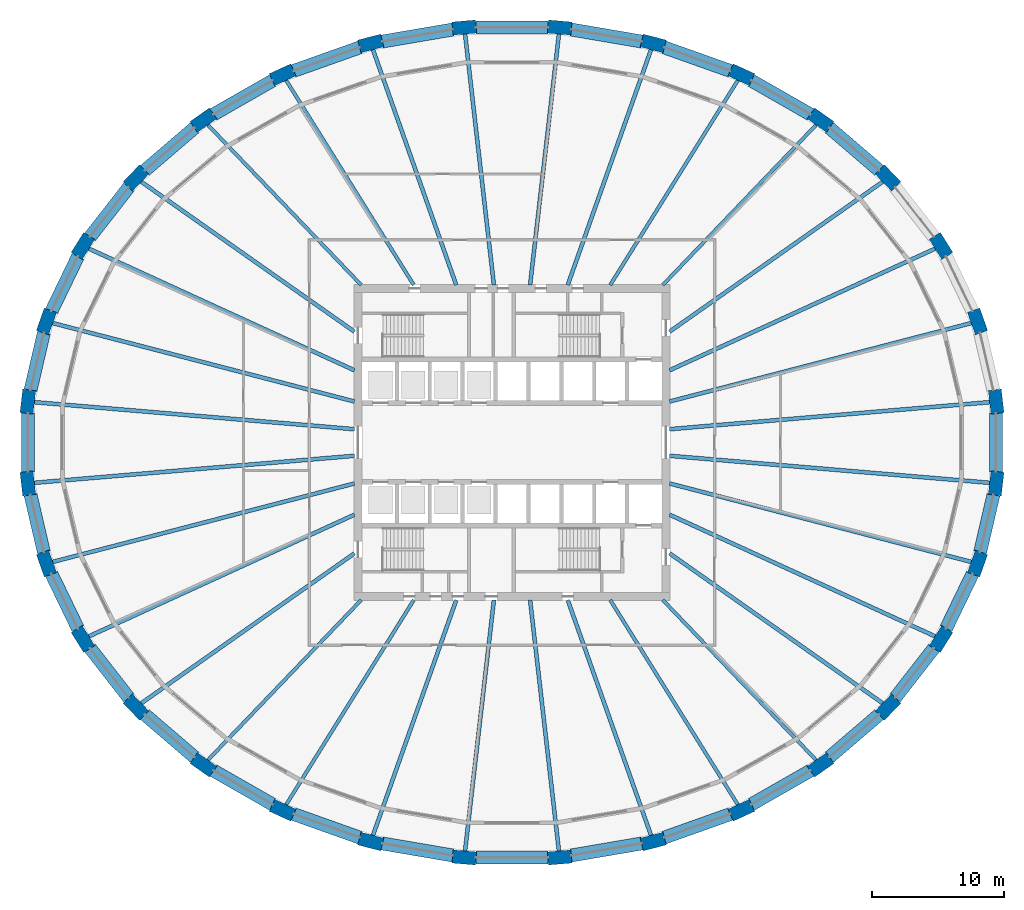
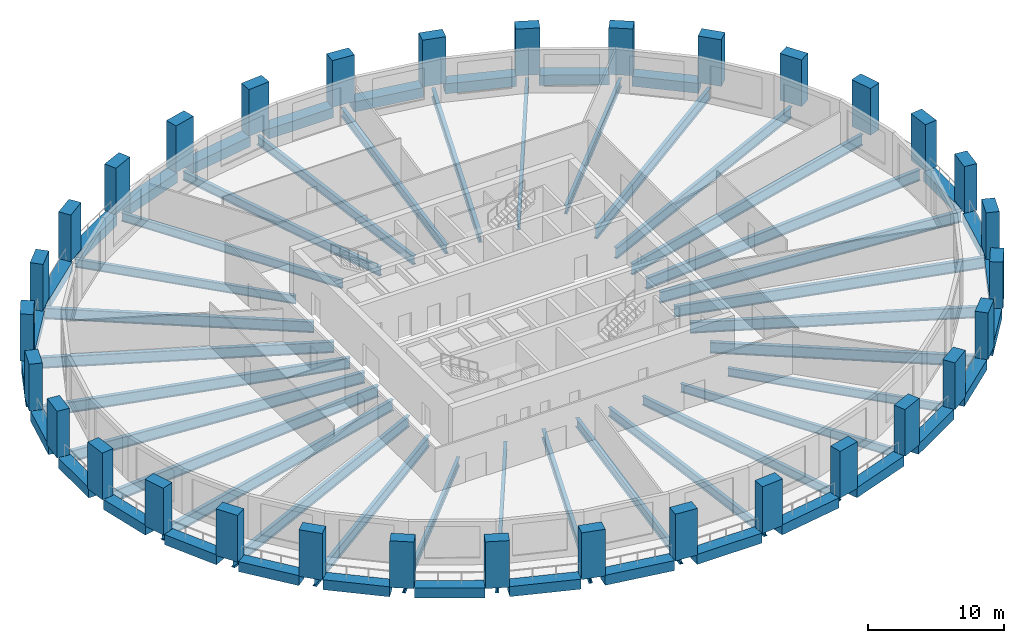
# One storey, part 1 of 10: 61 beams, 32 columns.
"""IFC4 building model written with IfcOpenShell, lengths in metres."""

from ifc_helpers import new_model, si_unit, direction, frame, origin, origin_2d, place, context, subcontext, project, spatial, rectangle, i_section, extrude, material, material_profile, profile_set, type_object, element, save


model = new_model("IFC4")

# Units and contexts
model_context = context("Model", 3, precision=1e-05, world=origin(), true_north=direction((0.0, 1.0)))
body_context = subcontext(model_context, "Body", "Model", "MODEL_VIEW")
ifc_project = project(units=[si_unit("LENGTHUNIT", "METRE"), si_unit("AREAUNIT", "SQUARE_METRE"), si_unit("VOLUMEUNIT", "CUBIC_METRE"), si_unit("PLANEANGLEUNIT", "RADIAN"), si_unit("MASSUNIT", "GRAM", prefix="KILO")], contexts=[model_context])

# Site, building, storey
site_placement = place(None, origin())
site = spatial("IfcSite", under=ifc_project, at=site_placement, CompositionType="ELEMENT")
building_placement = place(site_placement, origin())
building = spatial("IfcBuilding", under=site, at=building_placement, Name="Halqa Exchange Tower", CompositionType="ELEMENT")
storey_placement = place(building_placement, frame((0.0, 0.0, 61.300048828125)))
storey = spatial("IfcBuildingStorey", under=building, at=storey_placement, Name="L13", CompositionType="ELEMENT", Elevation=61.300048828125)

# Columns
ifc_material_1 = material(Name="Concrete C80/95", Category="concrete")
ifc_material_profile_1 = material_profile(ifc_material_1, rectangle(XDim=1.800048828125, YDim=1.0, at=origin_2d()), Name="1800 x 1000")
ifc_profile_set_1 = profile_set([ifc_material_profile_1], Name="Concrete C80/95")
column_type = type_object("IfcColumnType", Name="RC ring column 1800 x 1000 C80/95", PredefinedType="COLUMN", material=ifc_profile_set_1)
for number, where, z_axis, x_axis, name in (
    (1, (36.795654296875, 3.106201171875, 0.0), (0.0, 0.0, 1.0), (-0.114160389816, 0.993462332148, 0.0), "Ring column 1"),
    (2, (35.381591796875, 9.19970703125, 0.0), (0.0, 0.0, 1.0), (-0.33362916957, 0.942704395456, 0.0), "Ring column 2"),
    (3, (32.60791015625, 14.939453125, 0.0), (0.0, 0.0, 1.0), (-0.529139015285, 0.848535151012, 0.0), "Ring column 3"),
    (4, (28.5810546875, 20.10498046875, 0.0), (0.0, 0.0, 1.0), (-0.691577351953, 0.722302406382, 0.0), "Ring column 4"),
    (5, (23.455810546875, 24.498046875, 0.0), (0.0, 0.0, 1.0), (-0.817908788019, 0.57534790734, 0.0), "Ring column 5"),
    (6, (17.42919921875, 27.94970703125, 0.0), (0.0, 0.0, 1.0), (-0.909126368869, 0.416520402174, 0.0), "Ring column 6"),
    (7, (10.73291015625, 30.3271484375, 0.0), (0.0, 0.0, 1.0), (-0.967819942774, 0.251643713153, 0.0), "Ring column 7"),
    (8, (3.6240234375, 31.5390625, 0.0), (0.0, 0.0, 1.0), (-0.996455665803, 0.084119593962, 0.0), "Ring column 8"),
    (9, (-3.6240234375, 31.5390625, 0.0), (0.0, 0.0, 1.0), (-0.996455665803, -0.084119593962, 0.0), "Ring column 9"),
    (10, (-10.73291015625, 30.3271484375, 0.0), (0.0, 0.0, 1.0), (-0.967819942774, -0.251643713153, 0.0), "Ring column 10"),
    (11, (-17.42919921875, 27.94970703125, 0.0), (0.0, 0.0, 1.0), (-0.909126368869, -0.416520402174, 0.0), "Ring column 11"),
    (12, (-23.455810546875, 24.498046875, 0.0), (0.0, 0.0, 1.0), (-0.817908788019, -0.57534790734, 0.0), "Ring column 12"),
    (13, (-28.5810546875, 20.10498046875, 0.0), (0.0, 0.0, 1.0), (-0.691577351953, -0.722302406382, 0.0), "Ring column 13"),
    (14, (-32.60791015625, 14.939453125, 0.0), (0.0, 0.0, 1.0), (-0.529139015285, -0.848535151012, 0.0), "Ring column 14"),
    (15, (-35.381591796875, 9.19970703125, 0.0), (0.0, 0.0, 1.0), (-0.33362916957, -0.942704395456, 0.0), "Ring column 15"),
    (16, (-36.795654296875, 3.106201171875, 0.0), (0.0, 0.0, 1.0), (-0.114160389816, -0.993462332148, 0.0), "Ring column 16"),
    (17, (-36.795654296875, -3.106201171875, 0.0), (0.0, 0.0, 1.0), (0.114160389816, -0.993462332148, 0.0), "Ring column 17"),
    (18, (-35.381591796875, -9.19970703125, 0.0), (0.0, 0.0, 1.0), (0.33362916957, -0.942704395456, 0.0), "Ring column 18"),
    (19, (-32.60791015625, -14.939453125, 0.0), (0.0, 0.0, 1.0), (0.529139015285, -0.848535151012, 0.0), "Ring column 19"),
    (20, (-28.5810546875, -20.10498046875, 0.0), (0.0, 0.0, 1.0), (0.691577351953, -0.722302406382, 0.0), "Ring column 20"),
    (21, (-23.455810546875, -24.498046875, 0.0), (0.0, 0.0, 1.0), (0.817908788019, -0.57534790734, 0.0), "Ring column 21"),
    (22, (-17.42919921875, -27.94970703125, 0.0), (0.0, 0.0, 1.0), (0.909126368869, -0.416520402174, 0.0), "Ring column 22"),
    (23, (-10.73291015625, -30.3271484375, 0.0), (0.0, 0.0, 1.0), (0.967819942774, -0.251643713153, 0.0), "Ring column 23"),
    (24, (-3.6240234375, -31.5390625, 0.0), (0.0, 0.0, 1.0), (0.996455665803, -0.084119593962, 0.0), "Ring column 24"),
    (25, (3.6240234375, -31.5390625, 0.0), (0.0, 0.0, 1.0), (0.996455665803, 0.084119593962, 0.0), "Ring column 25"),
    (26, (10.73291015625, -30.3271484375, 0.0), (0.0, 0.0, 1.0), (0.967819942774, 0.251643713153, 0.0), "Ring column 26"),
    (27, (17.42919921875, -27.94970703125, 0.0), (0.0, 0.0, 1.0), (0.909126368869, 0.416520402174, 0.0), "Ring column 27"),
    (28, (23.455810546875, -24.498046875, 0.0), (0.0, 0.0, 1.0), (0.817908788019, 0.57534790734, 0.0), "Ring column 28"),
    (29, (28.5810546875, -20.10498046875, 0.0), (0.0, 0.0, 1.0), (0.691577351953, 0.722302406382, 0.0), "Ring column 29"),
    (30, (32.60791015625, -14.939453125, 0.0), (0.0, 0.0, 1.0), (0.529139015285, 0.848535151012, 0.0), "Ring column 30"),
    (31, (35.381591796875, -9.19970703125, 0.0), (0.0, 0.0, 1.0), (0.33362916957, 0.942704395456, 0.0), "Ring column 31"),
    (32, (36.795654296875, -3.106201171875, 0.0), (0.0, 0.0, 1.0), (0.114160389816, 0.993462332148, 0.0), "Ring column 32"),
):
    element("IfcColumn", number, at=place(storey_placement, frame(where, z_axis=z_axis, x_axis=x_axis)), inside=storey, type_object=column_type, Name=name, PredefinedType="COLUMN", context=body_context, shape_type="SweptSolid", body=[
        extrude(rectangle(XDim=1.800048828125, YDim=1.0, at=origin_2d()), origin(), (0.0, 0.0, 1.0), 4.199951171875),
    ])

# Beams
ifc_material_2 = material(Name="Steel S355", Category="steel")
ifc_material_profile_2 = material_profile(ifc_material_2, i_section(OverallWidth=0.300048828125, OverallDepth=0.989990234375, WebThickness=0.0166015625, FlangeThickness=0.031005859375, FilletRadius=0.030029296875, at=origin_2d()), Name="HEA 1000")
ifc_profile_set_2 = profile_set([ifc_material_profile_2], Name="Steel S355")
beam_type_1 = type_object("IfcBeamType", Name="Floor beam HEA 1000", PredefinedType="BEAM", material=ifc_profile_set_2)
beam_1_placement = place(storey_placement, frame((11.97119140625, 3.11279296875, -0.795166015625), z_axis=(0.967821408246, 0.251638076889, 0.0), x_axis=(-0.251638076889, 0.967821408246, 0.0)))
element("IfcBeam", 33, at=beam_1_placement, inside=storey, type_object=beam_type_1, Name="Radial beam 2", PredefinedType="BEAM", context=body_context, shape_type="SweptSolid", body=[
    extrude(i_section(OverallWidth=0.300048828125, OverallDepth=0.989990234375, WebThickness=0.0166015625, FlangeThickness=0.031005859375, FilletRadius=0.030029296875, at=origin_2d()), origin(), (0.0, 0.0, 1.0), 23.814697265625),
])
beam_2_placement = place(storey_placement, frame((11.972412109375, 5.485107421875, -0.795166015625), z_axis=(0.90912712456, 0.416518752747, 0.0), x_axis=(-0.416518752747, 0.90912712456, 0.0)))
element("IfcBeam", 34, at=beam_2_placement, inside=storey, type_object=beam_type_1, Name="Radial beam 3", PredefinedType="BEAM", context=body_context, shape_type="SweptSolid", body=[
    extrude(i_section(OverallWidth=0.300048828125, OverallDepth=0.989990234375, WebThickness=0.0166015625, FlangeThickness=0.031005859375, FilletRadius=0.030029296875, at=origin_2d()), origin(), (0.0, 0.0, 1.0), 22.322265625),
])
for number, where, z_axis, x_axis, name in (
    (35, (11.972412109375, 8.421875, -0.795166015625), (0.817911887768, 0.575343500744, 0.0), (-0.575343500744, 0.817911887768, 0.0), "Radial beam 4"),
    (36, (-11.972412109375, 8.421875, -0.795166015625), (-0.817911887768, 0.575343500744, 0.0), (-0.575343500744, -0.817911887768, 0.0), "Radial beam 13"),
):
    element("IfcBeam", number, at=place(storey_placement, frame(where, z_axis=z_axis, x_axis=x_axis)), inside=storey, type_object=beam_type_1, Name=name, PredefinedType="BEAM", context=body_context, shape_type="SweptSolid", body=[
        extrude(i_section(OverallWidth=0.300048828125, OverallDepth=0.989990234375, WebThickness=0.0166015625, FlangeThickness=0.031005859375, FilletRadius=0.030029296875, at=origin_2d()), origin(), (0.0, 0.0, 1.0), 19.930419921875),
    ])
beam_3_placement = place(storey_placement, frame((-11.972412109375, 5.485107421875, -0.795166015625), z_axis=(-0.90912712456, 0.416518752747, 0.0), x_axis=(-0.416518752747, -0.90912712456, 0.0)))
element("IfcBeam", 37, at=beam_3_placement, inside=storey, type_object=beam_type_1, Name="Radial beam 14", PredefinedType="BEAM", context=body_context, shape_type="SweptSolid", body=[
    extrude(i_section(OverallWidth=0.300048828125, OverallDepth=0.989990234375, WebThickness=0.0166015625, FlangeThickness=0.031005859375, FilletRadius=0.030029296875, at=origin_2d()), origin(), (0.0, 0.0, 1.0), 22.322265625),
])
for number, where, z_axis, x_axis, name in (
    (38, (-11.97119140625, 3.11279296875, -0.795166015625), (-0.967821408246, 0.251638076889, 0.0), (-0.251638076889, -0.967821408246, 0.0), "Radial beam 15"),
    (39, (-11.97119140625, -3.11279296875, -0.795166015625), (-0.967821408246, -0.251638076889, 0.0), (0.251638076889, -0.967821408246, 0.0), "Radial beam 18"),
):
    element("IfcBeam", number, at=place(storey_placement, frame(where, z_axis=z_axis, x_axis=x_axis)), inside=storey, type_object=beam_type_1, Name=name, PredefinedType="BEAM", context=body_context, shape_type="SweptSolid", body=[
        extrude(i_section(OverallWidth=0.300048828125, OverallDepth=0.989990234375, WebThickness=0.0166015625, FlangeThickness=0.031005859375, FilletRadius=0.030029296875, at=origin_2d()), origin(), (0.0, 0.0, 1.0), 23.814697265625),
    ])
beam_4_placement = place(storey_placement, frame((-11.972412109375, -5.485107421875, -0.795166015625), z_axis=(-0.90912712456, -0.416518752747, 0.0), x_axis=(0.416518752747, -0.90912712456, 0.0)))
element("IfcBeam", 40, at=beam_4_placement, inside=storey, type_object=beam_type_1, Name="Radial beam 19", PredefinedType="BEAM", context=body_context, shape_type="SweptSolid", body=[
    extrude(i_section(OverallWidth=0.300048828125, OverallDepth=0.989990234375, WebThickness=0.0166015625, FlangeThickness=0.031005859375, FilletRadius=0.030029296875, at=origin_2d()), origin(), (0.0, 0.0, 1.0), 22.322265625),
])
for number, where, z_axis, x_axis, name in (
    (41, (-11.972412109375, -8.421875, -0.795166015625), (-0.817911887768, -0.575343500744, 0.0), (0.575343500744, -0.817911887768, 0.0), "Radial beam 20"),
    (42, (11.972412109375, -8.421875, -0.795166015625), (0.817911887768, -0.575343500744, 0.0), (0.575343500744, 0.817911887768, 0.0), "Radial beam 29"),
):
    element("IfcBeam", number, at=place(storey_placement, frame(where, z_axis=z_axis, x_axis=x_axis)), inside=storey, type_object=beam_type_1, Name=name, PredefinedType="BEAM", context=body_context, shape_type="SweptSolid", body=[
        extrude(i_section(OverallWidth=0.300048828125, OverallDepth=0.989990234375, WebThickness=0.0166015625, FlangeThickness=0.031005859375, FilletRadius=0.030029296875, at=origin_2d()), origin(), (0.0, 0.0, 1.0), 19.930419921875),
    ])
beam_5_placement = place(storey_placement, frame((11.972412109375, -5.485107421875, -0.795166015625), z_axis=(0.90912712456, -0.416518752747, 0.0), x_axis=(0.416518752747, 0.90912712456, 0.0)))
element("IfcBeam", 43, at=beam_5_placement, inside=storey, type_object=beam_type_1, Name="Radial beam 30", PredefinedType="BEAM", context=body_context, shape_type="SweptSolid", body=[
    extrude(i_section(OverallWidth=0.300048828125, OverallDepth=0.989990234375, WebThickness=0.0166015625, FlangeThickness=0.031005859375, FilletRadius=0.030029296875, at=origin_2d()), origin(), (0.0, 0.0, 1.0), 22.322265625),
])
beam_6_placement = place(storey_placement, frame((11.97119140625, -3.11279296875, -0.795166015625), z_axis=(0.967821408246, -0.251638076889, 0.0), x_axis=(0.251638076889, 0.967821408246, 0.0)))
element("IfcBeam", 44, at=beam_6_placement, inside=storey, type_object=beam_type_1, Name="Radial beam 31", PredefinedType="BEAM", context=body_context, shape_type="SweptSolid", body=[
    extrude(i_section(OverallWidth=0.300048828125, OverallDepth=0.989990234375, WebThickness=0.0166015625, FlangeThickness=0.031005859375, FilletRadius=0.030029296875, at=origin_2d()), origin(), (0.0, 0.0, 1.0), 23.814697265625),
])
ifc_material_profile_3 = material_profile(ifc_material_2, i_section(OverallWidth=0.300048828125, OverallDepth=0.7900390625, WebThickness=0.014892578125, FlangeThickness=0.028076171875, FilletRadius=0.030029296875, at=origin_2d()), Name="HEA 800")
ifc_profile_set_3 = profile_set([ifc_material_profile_3], Name="Steel S355")
beam_type_2 = type_object("IfcBeamType", Name="Floor beam HEA 800", PredefinedType="BEAM", material=ifc_profile_set_3)
for number, where, z_axis, x_axis, name in (
    (45, (4.23681640625, 11.971923828125, -0.695068359375), (0.333632487117, 0.942703221348, 0.0), (-0.942703221348, 0.333632487117, 0.0), "Radial beam 7"),
    (46, (-4.23681640625, 11.971923828125, -0.695068359375), (-0.333632487117, 0.942703221348, 0.0), (-0.942703221348, -0.333632487117, 0.0), "Radial beam 10"),
    (47, (-4.23681640625, -11.971923828125, -0.695068359375), (-0.333632487117, -0.942703221348, 0.0), (0.942703221348, -0.333632487117, 0.0), "Radial beam 23"),
    (48, (4.23681640625, -11.971923828125, -0.695068359375), (0.333632487117, -0.942703221348, 0.0), (0.942703221348, 0.333632487117, 0.0), "Radial beam 26"),
):
    element("IfcBeam", number, at=place(storey_placement, frame(where, z_axis=z_axis, x_axis=x_axis)), inside=storey, type_object=beam_type_2, Name=name, PredefinedType="BEAM", context=body_context, shape_type="SweptSolid", body=[
        extrude(i_section(OverallWidth=0.300048828125, OverallDepth=0.7900390625, WebThickness=0.014892578125, FlangeThickness=0.028076171875, FilletRadius=0.030029296875, at=origin_2d()), origin(), (0.0, 0.0, 1.0), 19.096923828125),
    ])
ifc_material_profile_4 = material_profile(ifc_material_2, i_section(OverallWidth=0.300048828125, OverallDepth=0.800048828125, WebThickness=0.017578125, FlangeThickness=0.032958984375, FilletRadius=0.030029296875, at=origin_2d()), Name="HEB 800")
ifc_profile_set_4 = profile_set([ifc_material_profile_4], Name="Steel S355")
beam_type_3 = type_object("IfcBeamType", Name="Floor beam HEB 800", PredefinedType="BEAM", material=ifc_profile_set_4)
for number, where, z_axis, x_axis, name in (
    (49, (1.375732421875, 11.972900390625, -0.699951171875), (0.114155555708, 0.993462887631, 0.0), (-0.993462887631, 0.114155555708, 0.0), "Radial beam 8"),
    (50, (-1.375732421875, 11.972900390625, -0.699951171875), (-0.114155555708, 0.993462887631, 0.0), (-0.993462887631, -0.114155555708, 0.0), "Radial beam 9"),
    (51, (-1.375732421875, -11.972900390625, -0.699951171875), (-0.114155555708, -0.993462887631, 0.0), (0.993462887631, -0.114155555708, 0.0), "Radial beam 24"),
    (52, (1.375732421875, -11.972900390625, -0.699951171875), (0.114155555708, -0.993462887631, 0.0), (0.993462887631, 0.114155555708, 0.0), "Radial beam 25"),
):
    element("IfcBeam", number, at=place(storey_placement, frame(where, z_axis=z_axis, x_axis=x_axis)), inside=storey, type_object=beam_type_3, Name=name, PredefinedType="BEAM", context=body_context, shape_type="SweptSolid", body=[
        extrude(i_section(OverallWidth=0.300048828125, OverallDepth=0.800048828125, WebThickness=0.017578125, FlangeThickness=0.032958984375, FilletRadius=0.030029296875, at=origin_2d()), origin(), (0.0, 0.0, 1.0), 19.32275390625),
    ])
ifc_material_profile_5 = material_profile(ifc_material_2, i_section(OverallWidth=0.302001953125, OverallDepth=1.008056640625, WebThickness=0.02099609375, FlangeThickness=0.0400390625, FilletRadius=0.030029296875, at=origin_2d()), Name="HEM 1000")
ifc_profile_set_5 = profile_set([ifc_material_profile_5], Name="Steel S355")
beam_type_4 = type_object("IfcBeamType", Name="Floor beam HEM 1000", PredefinedType="BEAM", material=ifc_profile_set_5)
for number, where, z_axis, x_axis, name in (
    (53, (11.972412109375, 1.0107421875, -0.803955078125), (0.99645584794, 0.084117436394, 0.0), (-0.084117436394, 0.99645584794, 0.0), "Radial beam 1"),
    (54, (-11.972412109375, 1.0107421875, -0.803955078125), (-0.99645584794, 0.084117436394, 0.0), (-0.084117436394, -0.99645584794, 0.0), "Radial beam 16"),
    (55, (-11.972412109375, -1.0107421875, -0.803955078125), (-0.99645584794, -0.084117436394, 0.0), (0.084117436394, -0.99645584794, 0.0), "Radial beam 17"),
    (56, (11.972412109375, -1.0107421875, -0.803955078125), (0.99645584794, -0.084117436394, 0.0), (0.084117436394, 0.99645584794, 0.0), "Radial beam 32"),
):
    element("IfcBeam", number, at=place(storey_placement, frame(where, z_axis=z_axis, x_axis=x_axis)), inside=storey, type_object=beam_type_4, Name=name, PredefinedType="BEAM", context=body_context, shape_type="SweptSolid", body=[
        extrude(i_section(OverallWidth=0.302001953125, OverallDepth=1.008056640625, WebThickness=0.02099609375, FlangeThickness=0.0400390625, FilletRadius=0.030029296875, at=origin_2d()), origin(), (0.0, 0.0, 1.0), 24.53955078125),
    ])
ifc_material_profile_6 = material_profile(ifc_material_2, i_section(OverallWidth=0.264892578125, OverallDepth=0.7529296875, WebThickness=0.01318359375, FlangeThickness=0.01708984375, FilletRadius=0.01708984375, at=origin_2d()), Name="IPE 750x147")
ifc_profile_set_6 = profile_set([ifc_material_profile_6], Name="Steel S355")
beam_type_5 = type_object("IfcBeamType", Name="Floor beam IPE 750x147", PredefinedType="BEAM", material=ifc_profile_set_6)
for number, where, z_axis, x_axis, name in (
    (57, (11.462890625, 11.97216796875, -0.676513671875), (0.691578048571, 0.722301739396, 0.0), (-0.722301739396, 0.691578048571, 0.0), "Radial beam 5"),
    (58, (-11.462890625, 11.97216796875, -0.676513671875), (-0.691578048571, 0.722301739396, 0.0), (-0.722301739396, -0.691578048571, 0.0), "Radial beam 12"),
    (59, (-11.462890625, -11.97216796875, -0.676513671875), (-0.691578048571, -0.722301739396, 0.0), (0.722301739396, -0.691578048571, 0.0), "Radial beam 21"),
    (60, (11.462890625, -11.97216796875, -0.676513671875), (0.691578048571, -0.722301739396, 0.0), (0.722301739396, 0.691578048571, 0.0), "Radial beam 28"),
):
    element("IfcBeam", number, at=place(storey_placement, frame(where, z_axis=z_axis, x_axis=x_axis)), inside=storey, type_object=beam_type_5, Name=name, PredefinedType="BEAM", context=body_context, shape_type="SweptSolid", body=[
        extrude(i_section(OverallWidth=0.264892578125, OverallDepth=0.7529296875, WebThickness=0.01318359375, FlangeThickness=0.01708984375, FilletRadius=0.01708984375, at=origin_2d()), origin(), (0.0, 0.0, 1.0), 16.96533203125),
    ])
ifc_material_profile_7 = material_profile(ifc_material_2, i_section(OverallWidth=0.26806640625, OverallDepth=0.77001953125, WebThickness=0.015625, FlangeThickness=0.025390625, FilletRadius=0.01708984375, at=origin_2d()), Name="IPE 750x196")
ifc_profile_set_7 = profile_set([ifc_material_profile_7], Name="Steel S355")
beam_type_6 = type_object("IfcBeamType", Name="Floor beam IPE 750x196", PredefinedType="BEAM", material=ifc_profile_set_7)
for number, where, z_axis, x_axis, name in (
    (61, (7.46533203125, 11.971435546875, -0.68505859375), (0.52913771305, 0.848535963073, 0.0), (-0.848535963073, 0.52913771305, 0.0), "Radial beam 6"),
    (62, (-7.46533203125, 11.971435546875, -0.68505859375), (-0.52913771305, 0.848535963073, 0.0), (-0.848535963073, -0.52913771305, 0.0), "Radial beam 11"),
    (63, (-7.46533203125, -11.971435546875, -0.68505859375), (-0.52913771305, -0.848535963073, 0.0), (0.848535963073, -0.52913771305, 0.0), "Radial beam 22"),
    (64, (7.46533203125, -11.971435546875, -0.68505859375), (0.52913771305, -0.848535963073, 0.0), (0.848535963073, 0.52913771305, 0.0), "Radial beam 27"),
):
    element("IfcBeam", number, at=place(storey_placement, frame(where, z_axis=z_axis, x_axis=x_axis)), inside=storey, type_object=beam_type_6, Name=name, PredefinedType="BEAM", context=body_context, shape_type="SweptSolid", body=[
        extrude(i_section(OverallWidth=0.26806640625, OverallDepth=0.77001953125, WebThickness=0.015625, FlangeThickness=0.025390625, FilletRadius=0.01708984375, at=origin_2d()), origin(), (0.0, 0.0, 1.0), 18.454345703125),
    ])
ifc_material_3 = material(Name="Concrete C60/75", Category="concrete")
ifc_material_profile_8 = material_profile(ifc_material_3, rectangle(XDim=1.0, YDim=0.89990234375, at=origin_2d()), Name="1000 x 900")
ifc_profile_set_8 = profile_set([ifc_material_profile_8], Name="Concrete C60/75")
beam_type_7 = type_object("IfcBeamType", Name="RC spandrel beam 1000 x 900 C60/75", PredefinedType="SPANDREL", material=ifc_profile_set_8)
beam_7_placement = place(storey_placement, frame((27.915771484375, 20.67529296875, -0.449951171875), z_axis=(-0.759260049854, 0.650787351364, 0.0), x_axis=(-0.650787351364, -0.759260049854, 0.0)))
element("IfcBeam", 65, at=beam_7_placement, inside=storey, type_object=beam_type_7, Name="Spandrel 4", PredefinedType="SPANDREL", context=body_context, shape_type="SweptSolid", body=[
    extrude(rectangle(XDim=1.0, YDim=0.89990234375, at=origin_2d()), origin(), (0.0, 0.0, 1.0), 4.998779296875),
])
beam_8_placement = place(storey_placement, frame((22.69580078125, 24.933349609375, -0.449951171875), z_axis=(-0.867759663609, 0.496984070383, 0.0), x_axis=(-0.496984070383, -0.867759663609, 0.0)))
element("IfcBeam", 66, at=beam_8_placement, inside=storey, type_object=beam_type_7, Name="Spandrel 5", PredefinedType="SPANDREL", context=body_context, shape_type="SweptSolid", body=[
    extrude(rectangle(XDim=1.0, YDim=0.89990234375, at=origin_2d()), origin(), (0.0, 0.0, 1.0), 5.19384765625),
])
beam_9_placement = place(storey_placement, frame((16.603515625, 28.242919921875, -0.449951171875), z_axis=(-0.942371638201, 0.334567923618, 0.0), x_axis=(-0.334567923618, -0.942371638201, 0.0)))
element("IfcBeam", 67, at=beam_9_placement, inside=storey, type_object=beam_type_7, Name="Spandrel 6", PredefinedType="SPANDREL", context=body_context, shape_type="SweptSolid", body=[
    extrude(rectangle(XDim=1.0, YDim=0.89990234375, at=origin_2d()), origin(), (0.0, 0.0, 1.0), 5.35400390625),
])
beam_10_placement = place(storey_placement, frame((9.870361328125, 30.47412109375, -0.449951171875), z_axis=(-0.985774563326, 0.168072931488, 0.0), x_axis=(-0.168072931488, -0.985774563326, 0.0)))
element("IfcBeam", 68, at=beam_10_placement, inside=storey, type_object=beam_type_7, Name="Spandrel 7", PredefinedType="SPANDREL", context=body_context, shape_type="SweptSolid", body=[
    extrude(rectangle(XDim=1.0, YDim=0.89990234375, at=origin_2d()), origin(), (0.0, 0.0, 1.0), 5.461669921875),
])
beam_11_placement = place(storey_placement, frame((2.74951171875, 31.5390625, -0.449951171875), z_axis=(-1.0, 0.0, 0.0), x_axis=(0.0, -1.0, 0.0)))
element("IfcBeam", 69, at=beam_11_placement, inside=storey, type_object=beam_type_7, Name="Spandrel 8", PredefinedType="SPANDREL", context=body_context, shape_type="SweptSolid", body=[
    extrude(rectangle(XDim=1.0, YDim=0.89990234375, at=origin_2d()), origin(), (0.0, 0.0, 1.0), 5.4990234375),
])
beam_12_placement = place(storey_placement, frame((-4.486328125, 31.39208984375, -0.449951171875), z_axis=(-0.985774563326, -0.168072931488, 0.0), x_axis=(0.168072931488, -0.985774563326, 0.0)))
element("IfcBeam", 70, at=beam_12_placement, inside=storey, type_object=beam_type_7, Name="Spandrel 9", PredefinedType="SPANDREL", context=body_context, shape_type="SweptSolid", body=[
    extrude(rectangle(XDim=1.0, YDim=0.89990234375, at=origin_2d()), origin(), (0.0, 0.0, 1.0), 5.461669921875),
])
beam_13_placement = place(storey_placement, frame((-11.55810546875, 30.0341796875, -0.449951171875), z_axis=(-0.942371638201, -0.334567923618, 0.0), x_axis=(0.334567923618, -0.942371638201, 0.0)))
element("IfcBeam", 71, at=beam_13_placement, inside=storey, type_object=beam_type_7, Name="Spandrel 10", PredefinedType="SPANDREL", context=body_context, shape_type="SweptSolid", body=[
    extrude(rectangle(XDim=1.0, YDim=0.89990234375, at=origin_2d()), origin(), (0.0, 0.0, 1.0), 5.35400390625),
])
beam_14_placement = place(storey_placement, frame((-18.188720703125, 27.5146484375, -0.449951171875), z_axis=(-0.867759663609, -0.496984070383, 0.0), x_axis=(0.496984070383, -0.867759663609, 0.0)))
element("IfcBeam", 72, at=beam_14_placement, inside=storey, type_object=beam_type_7, Name="Spandrel 11", PredefinedType="SPANDREL", context=body_context, shape_type="SweptSolid", body=[
    extrude(rectangle(XDim=1.0, YDim=0.89990234375, at=origin_2d()), origin(), (0.0, 0.0, 1.0), 5.19384765625),
])
beam_15_placement = place(storey_placement, frame((-24.120361328125, 23.928466796875, -0.449951171875), z_axis=(-0.759260049854, -0.650787351364, 0.0), x_axis=(0.650787351364, -0.759260049854, 0.0)))
element("IfcBeam", 73, at=beam_15_placement, inside=storey, type_object=beam_type_7, Name="Spandrel 12", PredefinedType="SPANDREL", context=body_context, shape_type="SweptSolid", body=[
    extrude(rectangle(XDim=1.0, YDim=0.89990234375, at=origin_2d()), origin(), (0.0, 0.0, 1.0), 4.998779296875),
])
beam_16_placement = place(storey_placement, frame((-29.119384765625, 19.414306640625, -0.449951171875), z_axis=(-0.614821046905, -0.788666647122, 0.0), x_axis=(0.788666647122, -0.614821046905, 0.0)))
element("IfcBeam", 74, at=beam_16_placement, inside=storey, type_object=beam_type_7, Name="Spandrel 13", PredefinedType="SPANDREL", context=body_context, shape_type="SweptSolid", body=[
    extrude(rectangle(XDim=1.0, YDim=0.89990234375, at=origin_2d()), origin(), (0.0, 0.0, 1.0), 4.79736328125),
])
beam_17_placement = place(storey_placement, frame((-32.989990234375, 14.14892578125, -0.449951171875), z_axis=(-0.435081553548, -0.900391049357, 0.0), x_axis=(0.900391049357, -0.435081553548, 0.0)))
element("IfcBeam", 75, at=beam_17_placement, inside=storey, type_object=beam_type_7, Name="Spandrel 14", PredefinedType="SPANDREL", context=body_context, shape_type="SweptSolid", body=[
    extrude(rectangle(XDim=1.0, YDim=0.89990234375, at=origin_2d()), origin(), (0.0, 0.0, 1.0), 4.619873046875),
])
beam_18_placement = place(storey_placement, frame((-35.580078125, 8.344482421875, -0.449951171875), z_axis=(-0.226068102396, -0.974111499305, 0.0), x_axis=(0.974111499305, -0.226068102396, 0.0)))
element("IfcBeam", 76, at=beam_18_placement, inside=storey, type_object=beam_type_7, Name="Spandrel 15", PredefinedType="SPANDREL", context=body_context, shape_type="SweptSolid", body=[
    extrude(rectangle(XDim=1.0, YDim=0.89990234375, at=origin_2d()), origin(), (0.0, 0.0, 1.0), 4.4990234375),
])
beam_19_placement = place(storey_placement, frame((-36.795654296875, 2.2275390625, -0.449951171875), z_axis=(0.0, -1.0, 0.0), x_axis=(1.0, 0.0, 0.0)))
element("IfcBeam", 77, at=beam_19_placement, inside=storey, type_object=beam_type_7, Name="Spandrel 16", PredefinedType="SPANDREL", context=body_context, shape_type="SweptSolid", body=[
    extrude(rectangle(XDim=1.0, YDim=0.89990234375, at=origin_2d()), origin(), (0.0, 0.0, 1.0), 4.455078125),
])
beam_20_placement = place(storey_placement, frame((-36.59716796875, -3.9619140625, -0.449951171875), z_axis=(0.226068102396, -0.974111499305, 0.0), x_axis=(0.974111499305, 0.226068102396, 0.0)))
element("IfcBeam", 78, at=beam_20_placement, inside=storey, type_object=beam_type_7, Name="Spandrel 17", PredefinedType="SPANDREL", context=body_context, shape_type="SweptSolid", body=[
    extrude(rectangle(XDim=1.0, YDim=0.89990234375, at=origin_2d()), origin(), (0.0, 0.0, 1.0), 4.4990234375),
])
beam_21_placement = place(storey_placement, frame((-35.0, -9.9892578125, -0.449951171875), z_axis=(0.435081553548, -0.900391049357, 0.0), x_axis=(0.900391049357, 0.435081553548, 0.0)))
element("IfcBeam", 79, at=beam_21_placement, inside=storey, type_object=beam_type_7, Name="Spandrel 18", PredefinedType="SPANDREL", context=body_context, shape_type="SweptSolid", body=[
    extrude(rectangle(XDim=1.0, YDim=0.89990234375, at=origin_2d()), origin(), (0.0, 0.0, 1.0), 4.619873046875),
])
beam_22_placement = place(storey_placement, frame((-32.06884765625, -15.630859375, -0.449951171875), z_axis=(0.614821046905, -0.788666647122, 0.0), x_axis=(0.788666647122, 0.614821046905, 0.0)))
element("IfcBeam", 80, at=beam_22_placement, inside=storey, type_object=beam_type_7, Name="Spandrel 19", PredefinedType="SPANDREL", context=body_context, shape_type="SweptSolid", body=[
    extrude(rectangle(XDim=1.0, YDim=0.89990234375, at=origin_2d()), origin(), (0.0, 0.0, 1.0), 4.79736328125),
])
beam_23_placement = place(storey_placement, frame((-27.915771484375, -20.67529296875, -0.449951171875), z_axis=(0.759260049854, -0.650787351364, 0.0), x_axis=(0.650787351364, 0.759260049854, 0.0)))
element("IfcBeam", 81, at=beam_23_placement, inside=storey, type_object=beam_type_7, Name="Spandrel 20", PredefinedType="SPANDREL", context=body_context, shape_type="SweptSolid", body=[
    extrude(rectangle(XDim=1.0, YDim=0.89990234375, at=origin_2d()), origin(), (0.0, 0.0, 1.0), 4.998779296875),
])
beam_24_placement = place(storey_placement, frame((-22.69580078125, -24.933349609375, -0.449951171875), z_axis=(0.867759663609, -0.496984070383, 0.0), x_axis=(0.496984070383, 0.867759663609, 0.0)))
element("IfcBeam", 82, at=beam_24_placement, inside=storey, type_object=beam_type_7, Name="Spandrel 21", PredefinedType="SPANDREL", context=body_context, shape_type="SweptSolid", body=[
    extrude(rectangle(XDim=1.0, YDim=0.89990234375, at=origin_2d()), origin(), (0.0, 0.0, 1.0), 5.19384765625),
])
beam_25_placement = place(storey_placement, frame((-16.603515625, -28.242919921875, -0.449951171875), z_axis=(0.942371638201, -0.334567923618, 0.0), x_axis=(0.334567923618, 0.942371638201, 0.0)))
element("IfcBeam", 83, at=beam_25_placement, inside=storey, type_object=beam_type_7, Name="Spandrel 22", PredefinedType="SPANDREL", context=body_context, shape_type="SweptSolid", body=[
    extrude(rectangle(XDim=1.0, YDim=0.89990234375, at=origin_2d()), origin(), (0.0, 0.0, 1.0), 5.35400390625),
])
beam_26_placement = place(storey_placement, frame((-9.870361328125, -30.47412109375, -0.449951171875), z_axis=(0.985774563326, -0.168072931488, 0.0), x_axis=(0.168072931488, 0.985774563326, 0.0)))
element("IfcBeam", 84, at=beam_26_placement, inside=storey, type_object=beam_type_7, Name="Spandrel 23", PredefinedType="SPANDREL", context=body_context, shape_type="SweptSolid", body=[
    extrude(rectangle(XDim=1.0, YDim=0.89990234375, at=origin_2d()), origin(), (0.0, 0.0, 1.0), 5.461669921875),
])
beam_27_placement = place(storey_placement, frame((-2.74951171875, -31.5390625, -0.449951171875), z_axis=(1.0, 0.0, 0.0), x_axis=(0.0, 1.0, 0.0)))
element("IfcBeam", 85, at=beam_27_placement, inside=storey, type_object=beam_type_7, Name="Spandrel 24", PredefinedType="SPANDREL", context=body_context, shape_type="SweptSolid", body=[
    extrude(rectangle(XDim=1.0, YDim=0.89990234375, at=origin_2d()), origin(), (0.0, 0.0, 1.0), 5.4990234375),
])
beam_28_placement = place(storey_placement, frame((4.486328125, -31.39208984375, -0.449951171875), z_axis=(0.985774563326, 0.168072931488, 0.0), x_axis=(-0.168072931488, 0.985774563326, 0.0)))
element("IfcBeam", 86, at=beam_28_placement, inside=storey, type_object=beam_type_7, Name="Spandrel 25", PredefinedType="SPANDREL", context=body_context, shape_type="SweptSolid", body=[
    extrude(rectangle(XDim=1.0, YDim=0.89990234375, at=origin_2d()), origin(), (0.0, 0.0, 1.0), 5.461669921875),
])
beam_29_placement = place(storey_placement, frame((11.55810546875, -30.0341796875, -0.449951171875), z_axis=(0.942371638201, 0.334567923618, 0.0), x_axis=(-0.334567923618, 0.942371638201, 0.0)))
element("IfcBeam", 87, at=beam_29_placement, inside=storey, type_object=beam_type_7, Name="Spandrel 26", PredefinedType="SPANDREL", context=body_context, shape_type="SweptSolid", body=[
    extrude(rectangle(XDim=1.0, YDim=0.89990234375, at=origin_2d()), origin(), (0.0, 0.0, 1.0), 5.35400390625),
])
beam_30_placement = place(storey_placement, frame((18.188720703125, -27.5146484375, -0.449951171875), z_axis=(0.867759663609, 0.496984070383, 0.0), x_axis=(-0.496984070383, 0.867759663609, 0.0)))
element("IfcBeam", 88, at=beam_30_placement, inside=storey, type_object=beam_type_7, Name="Spandrel 27", PredefinedType="SPANDREL", context=body_context, shape_type="SweptSolid", body=[
    extrude(rectangle(XDim=1.0, YDim=0.89990234375, at=origin_2d()), origin(), (0.0, 0.0, 1.0), 5.19384765625),
])
beam_31_placement = place(storey_placement, frame((24.120361328125, -23.928466796875, -0.449951171875), z_axis=(0.759260049854, 0.650787351364, 0.0), x_axis=(-0.650787351364, 0.759260049854, 0.0)))
element("IfcBeam", 89, at=beam_31_placement, inside=storey, type_object=beam_type_7, Name="Spandrel 28", PredefinedType="SPANDREL", context=body_context, shape_type="SweptSolid", body=[
    extrude(rectangle(XDim=1.0, YDim=0.89990234375, at=origin_2d()), origin(), (0.0, 0.0, 1.0), 4.998779296875),
])
beam_32_placement = place(storey_placement, frame((29.119384765625, -19.414306640625, -0.449951171875), z_axis=(0.614821046905, 0.788666647122, 0.0), x_axis=(-0.788666647122, 0.614821046905, 0.0)))
element("IfcBeam", 90, at=beam_32_placement, inside=storey, type_object=beam_type_7, Name="Spandrel 29", PredefinedType="SPANDREL", context=body_context, shape_type="SweptSolid", body=[
    extrude(rectangle(XDim=1.0, YDim=0.89990234375, at=origin_2d()), origin(), (0.0, 0.0, 1.0), 4.79736328125),
])
beam_33_placement = place(storey_placement, frame((32.989990234375, -14.14892578125, -0.449951171875), z_axis=(0.435081553548, 0.900391049357, 0.0), x_axis=(-0.900391049357, 0.435081553548, 0.0)))
element("IfcBeam", 91, at=beam_33_placement, inside=storey, type_object=beam_type_7, Name="Spandrel 30", PredefinedType="SPANDREL", context=body_context, shape_type="SweptSolid", body=[
    extrude(rectangle(XDim=1.0, YDim=0.89990234375, at=origin_2d()), origin(), (0.0, 0.0, 1.0), 4.619873046875),
])
beam_34_placement = place(storey_placement, frame((35.580078125, -8.344482421875, -0.449951171875), z_axis=(0.226068102396, 0.974111499305, 0.0), x_axis=(-0.974111499305, 0.226068102396, 0.0)))
element("IfcBeam", 92, at=beam_34_placement, inside=storey, type_object=beam_type_7, Name="Spandrel 31", PredefinedType="SPANDREL", context=body_context, shape_type="SweptSolid", body=[
    extrude(rectangle(XDim=1.0, YDim=0.89990234375, at=origin_2d()), origin(), (0.0, 0.0, 1.0), 4.4990234375),
])
beam_35_placement = place(storey_placement, frame((36.795654296875, -2.2275390625, -0.449951171875), z_axis=(0.0, 1.0, 0.0), x_axis=(-1.0, 0.0, 0.0)))
element("IfcBeam", 93, at=beam_35_placement, inside=storey, type_object=beam_type_7, Name="Spandrel 32", PredefinedType="SPANDREL", context=body_context, shape_type="SweptSolid", body=[
    extrude(rectangle(XDim=1.0, YDim=0.89990234375, at=origin_2d()), origin(), (0.0, 0.0, 1.0), 4.455078125),
])

save(model, "model.ifc")
